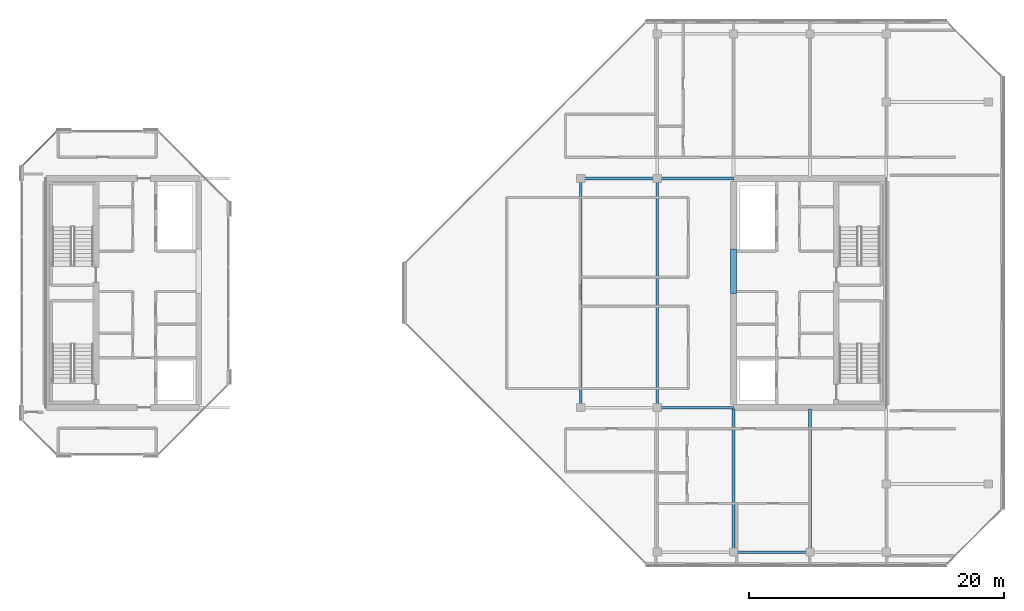
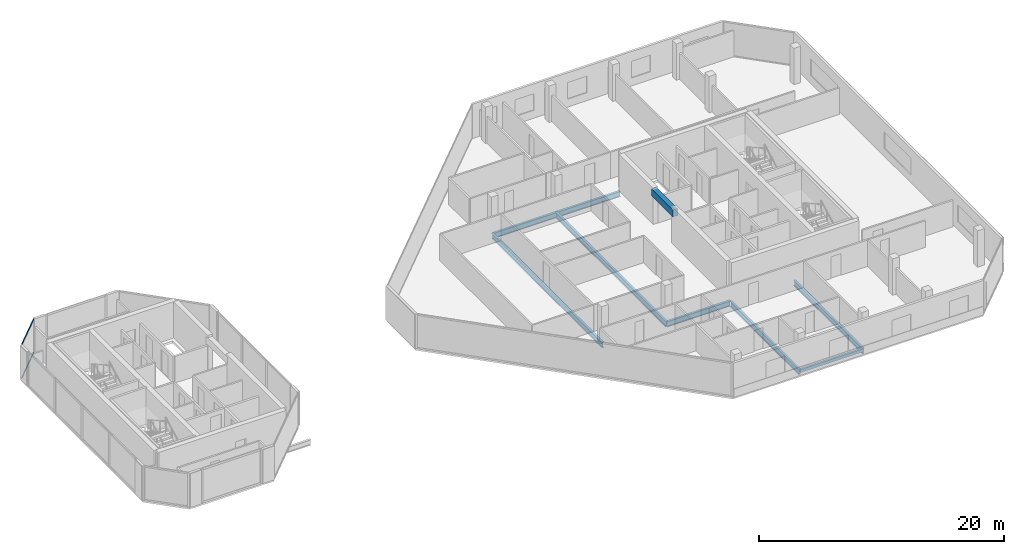
# One storey, part 11 of 28: 9 beams, 2 members, 1 element without a shape of its own.
"""IFC4 building model written with IfcOpenShell, lengths in metres."""

from ifc_helpers import new_model, si_unit, direction, frame, origin, origin_2d, place, context, subcontext, project, spatial, rectangle, hollow_rectangle, i_section, extrude, material, layer, layer_set, material_profile, profile_set, type_object, element, aggregate, save


model = new_model("IFC4")

# Units and contexts
model_context = context("Model", 3, precision=1e-05, world=origin(), true_north=direction((0.0, 1.0)))
body_context = subcontext(model_context, "Body", "Model", "MODEL_VIEW")
ifc_project = project(units=[si_unit("LENGTHUNIT", "METRE"), si_unit("AREAUNIT", "SQUARE_METRE"), si_unit("VOLUMEUNIT", "CUBIC_METRE"), si_unit("PLANEANGLEUNIT", "RADIAN"), si_unit("MASSUNIT", "GRAM", prefix="KILO")], contexts=[model_context])

# Site, building, storey
site_placement = place(None, origin())
site = spatial("IfcSite", under=ifc_project, at=site_placement, CompositionType="ELEMENT")
building_placement = place(site_placement, origin())
building = spatial("IfcBuilding", under=site, at=building_placement, Name="Tanjung Sevakor Pilgrim Tower", CompositionType="ELEMENT")
storey_placement = place(building_placement, frame((0.0, 0.0, 249.81005859375)))
storey = spatial("IfcBuildingStorey", under=building, at=storey_placement, Name="L70", CompositionType="ELEMENT", Elevation=249.81005859375)

# Beams
ifc_material_1 = material(Name="Steel S355J2", Category="steel")
ifc_material_profile_1 = material_profile(ifc_material_1, i_section(OverallWidth=0.2119140625, OverallDepth=0.54443359375, WebThickness=0.0126953125, FlangeThickness=0.021240234375, FilletRadius=0.0126953125, at=origin_2d()))
ifc_profile_set_1 = profile_set([ifc_material_profile_1], Name="Steel S355J2")
beam_type_1 = type_object("IfcBeamType", Name="BM-B-G5-UB_533x210x122", PredefinedType="BEAM", material=ifc_profile_set_1)
for number, where, z_axis, x_axis, name in (
    (1, (72.0, 24.60009765625, -0.492431640625), (1.0, 0.0, 0.0), (0.0, 1.0, 0.0), "L70 Primary Floor Girder EAST Y246-02"),
    (2, (66.0, 42.60009765625, -0.492431640625), (1.0, 0.0, 0.0), (0.0, 1.0, 0.0), "L70 Primary Floor Girder EAST Y426-01"),
    (3, (72.0, 42.60009765625, -0.492431640625), (1.0, 0.0, 0.0), (0.0, 1.0, 0.0), "L70 Primary Floor Girder EAST Y426-02"),
):
    element("IfcBeam", number, at=place(storey_placement, frame(where, z_axis=z_axis, x_axis=x_axis)), inside=storey, type_object=beam_type_1, Name=name, PredefinedType="BEAM", context=body_context, shape_type="SweptSolid", body=[
        extrude(i_section(OverallWidth=0.2119140625, OverallDepth=0.54443359375, WebThickness=0.0126953125, FlangeThickness=0.021240234375, FilletRadius=0.0126953125, at=origin_2d()), origin(), (0.0, 0.0, 1.0), 6.0),
    ])
ifc_material_2 = material(Name="Steel S355J2", Category="steel")
ifc_material_profile_2 = material_profile(ifc_material_2, i_section(OverallWidth=0.210693359375, OverallDepth=0.53955078125, WebThickness=0.01171875, FlangeThickness=0.018798828125, FilletRadius=0.0126953125, at=origin_2d()))
ifc_profile_set_2 = profile_set([ifc_material_profile_2], Name="Steel S355J2")
beam_type_2 = type_object("IfcBeamType", Name="BM-B-G6-UB_533x210x109", PredefinedType="BEAM", material=ifc_profile_set_2)
for number, where, z_axis, x_axis, name in (
    (4, (66.0, 24.60009765625, -0.48974609375), (0.0, 1.0, 0.0), (-1.0, 0.0, 0.0), "L70 EAST Girder 001"),
    (5, (72.0, 24.60009765625, -0.48974609375), (0.0, 1.0, 0.0), (-1.0, 0.0, 0.0), "L70 EAST Girder 003"),
):
    element("IfcBeam", number, at=place(storey_placement, frame(where, z_axis=z_axis, x_axis=x_axis)), inside=storey, type_object=beam_type_2, Name=name, PredefinedType="BEAM", context=body_context, shape_type="SweptSolid", body=[
        extrude(i_section(OverallWidth=0.210693359375, OverallDepth=0.53955078125, WebThickness=0.01171875, FlangeThickness=0.018798828125, FilletRadius=0.0126953125, at=origin_2d()), origin(), (0.0, 0.0, 1.0), 18.0),
    ])
for number, where, z_axis, x_axis, name in (
    (6, (78.0, 13.25, -0.48974609375), (0.0, 1.0, 0.0), (-1.0, 0.0, 0.0), "L70 EAST Girder 005"),
    (7, (84.0, 13.25, -0.48974609375), (0.0, 1.0, 0.0), (-1.0, 0.0, 0.0), "L70 EAST Girder 007"),
):
    element("IfcBeam", number, at=place(storey_placement, frame(where, z_axis=z_axis, x_axis=x_axis)), inside=storey, type_object=beam_type_2, Name=name, PredefinedType="BEAM", context=body_context, shape_type="SweptSolid", body=[
        extrude(i_section(OverallWidth=0.210693359375, OverallDepth=0.53955078125, WebThickness=0.01171875, FlangeThickness=0.018798828125, FilletRadius=0.0126953125, at=origin_2d()), origin(), (0.0, 0.0, 1.0), 11.243896484375),
    ])
ifc_material_3 = material(Name="Concrete C60/75", Category="concrete")
ifc_material_profile_3 = material_profile(ifc_material_3, rectangle(XDim=0.449951171875, YDim=0.699951171875, at=origin_2d()))
ifc_profile_set_3 = profile_set([ifc_material_profile_3], Name="Concrete C60/75")
beam_type_3 = type_object("IfcBeamType", Name="BM-B-LN3-RC-BM_450x700", PredefinedType="LINTEL", material=ifc_profile_set_3)
beam_1_placement = place(storey_placement, frame((78.0, 33.550048828125, 3.06005859375), z_axis=(0.0, 1.0, 0.0), x_axis=(-1.0, 0.0, 0.0)))
element("IfcBeam", 8, at=beam_1_placement, inside=storey, type_object=beam_type_3, Name="L70 E Core Coupling Lintel", PredefinedType="LINTEL", context=body_context, shape_type="SweptSolid", body=[
    extrude(rectangle(XDim=0.449951171875, YDim=0.699951171875, at=origin_2d()), origin(), (0.0, 0.0, 1.0), 3.5),
])
ifc_material_4 = material(Name="Steel S355J2", Category="steel")
ifc_material_profile_4 = material_profile(ifc_material_4, hollow_rectangle(XDim=0.199951171875, YDim=0.300048828125, WallThickness=0.012451171875, at=origin_2d()))
ifc_profile_set_4 = profile_set([ifc_material_profile_4], Name="Steel S355J2")
beam_type_4 = type_object("IfcBeamType", Name="BM-B-SP3-RHS_300x200x12.5", PredefinedType="SPANDREL", material=ifc_profile_set_4)
beam_2_placement = place(storey_placement, frame((78.0, 13.25, -0.3701171875), z_axis=(1.0, 0.0, 0.0), x_axis=(0.0, 1.0, 0.0)))
element("IfcBeam", 9, at=beam_2_placement, inside=storey, type_object=beam_type_4, Name="L70 Spandrel EAST S-03", PredefinedType="SPANDREL", context=body_context, shape_type="SweptSolid", body=[
    extrude(hollow_rectangle(XDim=0.199951171875, YDim=0.300048828125, WallThickness=0.012451171875, at=origin_2d()), origin(), (0.0, 0.0, 1.0), 6.0),
])

# Curtain wall, members
ifc_material_5 = material(Name="Aluminium 6063-T6 and Low-E Glass", Category="aluminium")
ifc_layer = layer(ifc_material_5, 0.179931640625)
ifc_layer_set = layer_set([ifc_layer], Name="CW-SYS-CHAM")
curtain_wall_type = type_object("IfcCurtainWallType", Name="CW-SYS-CHAM", PredefinedType="NOTDEFINED", material=ifc_layer_set)
curtain_wall_placement = place(storey_placement, origin())
curtain_wall = element("IfcCurtainWall", 10, at=curtain_wall_placement, inside=storey, type_object=curtain_wall_type, Name="L70 Curtain Wall CW-CHM-L70-WEST-5", PredefinedType="NOTDEFINED")
ifc_material_6 = material(Name="Aluminium 6063-T6", Category="aluminium")
ifc_material_profile_5 = material_profile(ifc_material_6, hollow_rectangle(XDim=0.06494140625, YDim=0.139892578125, WallThickness=0.00390625, at=origin_2d()))
ifc_profile_set_5 = profile_set([ifc_material_profile_5], Name="Aluminium 6063-T6")
member_type = type_object("IfcMemberType", Name="TYPE-CWT-1", PredefinedType="USERDEFINED", material=ifc_profile_set_5)
member_1_placement = place(storey_placement, frame((24.799560546875, 46.244140625, 0.032470703125), z_axis=(-0.707074130168, -0.707139430697, 0.0), x_axis=(0.707139430697, -0.707074130168, 0.0)))
member_1 = element("IfcMember", 11, at=member_1_placement, type_object=member_type, Name="CW-CHM transom 1.1", ObjectType="TRANSOM", PredefinedType="USERDEFINED", context=body_context, shape_type="SweptSolid", body=[
    extrude(hollow_rectangle(XDim=0.06494140625, YDim=0.139892578125, WallThickness=0.00390625, at=origin_2d()), origin(), (0.0, 0.0, 1.0), 3.73876953125),
])
member_2_placement = place(storey_placement, frame((24.799560546875, 46.244140625, 3.37744140625), z_axis=(-0.707074130168, -0.707139430697, 0.0), x_axis=(0.707139430697, -0.707074130168, 0.0)))
member_2 = element("IfcMember", 12, at=member_2_placement, type_object=member_type, Name="CW-CHM transom 1.2", ObjectType="TRANSOM", PredefinedType="USERDEFINED", context=body_context, shape_type="SweptSolid", body=[
    extrude(hollow_rectangle(XDim=0.06494140625, YDim=0.139892578125, WallThickness=0.00390625, at=origin_2d()), origin(), (0.0, 0.0, 1.0), 3.73876953125),
])
aggregate(curtain_wall, [member_1, member_2])

save(model, "model.ifc")
